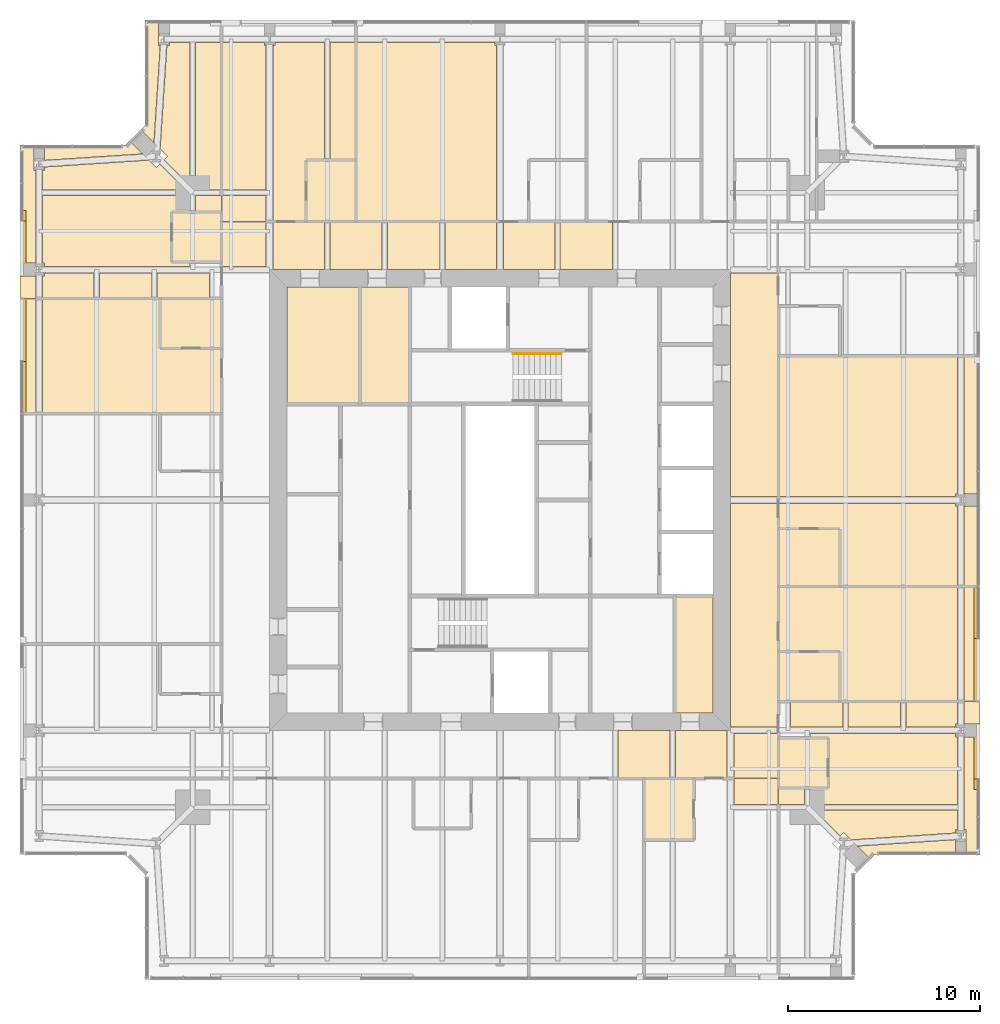
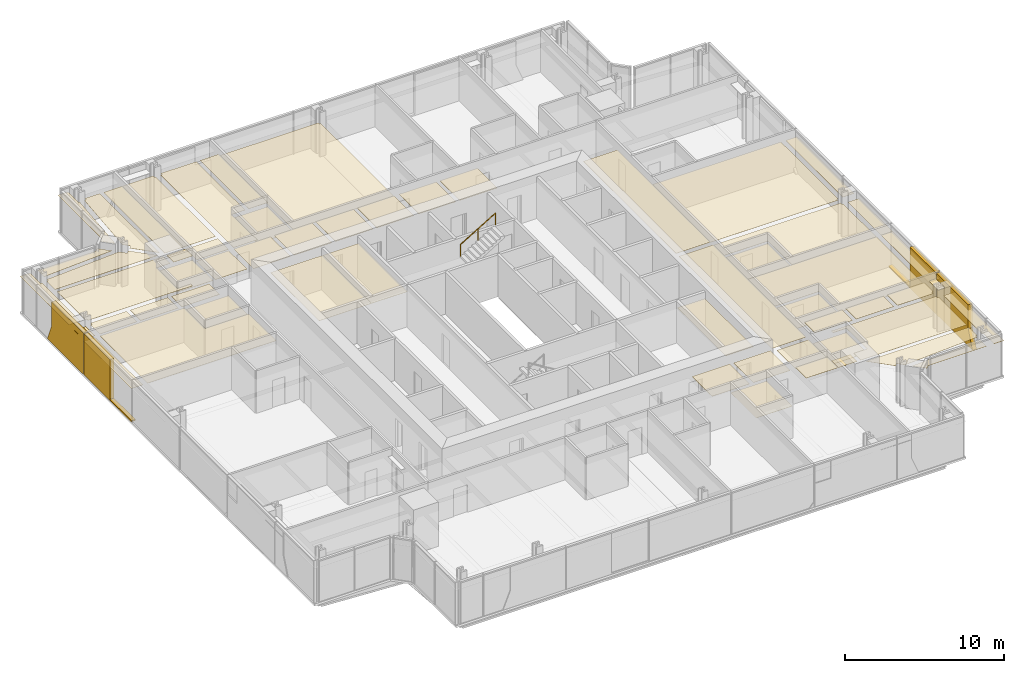
# One storey, part 17 of 18: 61 coverings, 1 railing.
"""IFC4 building model written with IfcOpenShell, lengths in metres."""

from ifc_helpers import new_model, si_unit, direction, frame, origin, origin_2d, place, context, subcontext, project, spatial, polyline, circle, outline, extrude, material, layer, layer_set, type_object, element, save


model = new_model("IFC4")

# Units and contexts
model_context = context("Model", 3, precision=1e-05, world=origin(), true_north=direction((0.0, 1.0)))
body_context = subcontext(model_context, "Body", "Model", "MODEL_VIEW")
ifc_project = project(units=[si_unit("LENGTHUNIT", "METRE"), si_unit("AREAUNIT", "SQUARE_METRE"), si_unit("VOLUMEUNIT", "CUBIC_METRE"), si_unit("PLANEANGLEUNIT", "RADIAN"), si_unit("MASSUNIT", "GRAM", prefix="KILO")], contexts=[model_context])

# Site, building, storey
site_placement = place(None, origin())
site = spatial("IfcSite", under=ifc_project, at=site_placement, CompositionType="ELEMENT")
building_placement = place(site_placement, origin())
building = spatial("IfcBuilding", under=site, at=building_placement, Name="Fenwick Lantern Interchange", CompositionType="ELEMENT")
storey_placement = place(building_placement, frame((0.0, 0.0, 266.199951171875)))
storey = spatial("IfcBuildingStorey", under=building, at=storey_placement, Name="L63", CompositionType="ELEMENT", Elevation=266.199951171875)

# Coverings
ifc_material_1 = material(Name="Granite cladding, warm grey flamed finish, on aluminium carrier frame", Category="masonry")
ifc_layer_1 = layer(ifc_material_1, 0.300048828125)
ifc_layer_set_1 = layer_set([ifc_layer_1], Name="BRACE CASING PANEL 300")
covering_type_1 = type_object("IfcCoveringType", Name="BRACE CASING PANEL 300", PredefinedType="CLADDING", material=ifc_layer_set_1)
covering_1_placement = place(storey_placement, frame((49.89990234375, 6.60009765625, 0.0), z_axis=(0.0, 0.0, 1.0), x_axis=(0.0, 1.0, 0.0)))
element("IfcCovering", 1, at=covering_1_placement, inside=storey, type_object=covering_type_1, Name="Brace casing 05 bay 01a", PredefinedType="CLADDING", context=body_context, shape_type="SweptSolid", body=[
    extrude(outline(polyline([(3.328369140625, 0.0), (7.8701171875, 0.0), (7.8701171875, 3.150146484375), (3.859375, 3.150146484375), (3.859375, 1.31298828125), (3.328369140625, 0.0)])), frame((0.0, 0.2099609375, 0.0), z_axis=(0.0, -1.0, 0.0), x_axis=(1.0, 0.0, 0.0)), (0.0, 0.0, 1.0), 0.300048828125),
])
covering_2_placement = place(storey_placement, frame((49.89990234375, 6.60009765625, 0.0), z_axis=(0.0, 0.0, 1.0), x_axis=(0.0, 1.0, 0.0)))
element("IfcCovering", 2, at=covering_2_placement, inside=storey, type_object=covering_type_1, Name="Brace casing 05 bay 02a", PredefinedType="CLADDING", context=body_context, shape_type="SweptSolid", body=[
    extrude(outline(polyline([(7.929931640625, 0.0), (13.8701171875, 0.0), (13.8701171875, 0.0966796875), (11.180419921875, 0.0966796875), (11.180419921875, 3.150146484375), (7.929931640625, 3.150146484375), (7.929931640625, 0.0)])), frame((0.0, 0.2099609375, 0.0), z_axis=(0.0, -1.0, 0.0), x_axis=(1.0, 0.0, 0.0)), (0.0, 0.0, 1.0), 0.300048828125),
])
covering_3_placement = place(storey_placement, frame((0.10009765625, 43.39990234375, 0.0), z_axis=(0.0, 0.0, 1.0), x_axis=(0.0, -1.0, 0.0)))
element("IfcCovering", 3, at=covering_3_placement, inside=storey, type_object=covering_type_1, Name="Brace casing 13 bay 01a", PredefinedType="CLADDING", context=body_context, shape_type="SweptSolid", body=[
    extrude(outline(polyline([(3.328369140625, 0.0), (7.8701171875, 0.0), (7.8701171875, 3.150146484375), (3.859375, 3.150146484375), (3.859375, 1.31298828125), (3.328369140625, 0.0)])), frame((0.0, 0.2099609375, 0.0), z_axis=(0.0, -1.0, 0.0), x_axis=(1.0, 0.0, 0.0)), (0.0, 0.0, 1.0), 0.300048828125),
])
covering_4_placement = place(storey_placement, frame((0.10009765625, 43.39990234375, 0.0), z_axis=(0.0, 0.0, 1.0), x_axis=(0.0, -1.0, 0.0)))
element("IfcCovering", 4, at=covering_4_placement, inside=storey, type_object=covering_type_1, Name="Brace casing 13 bay 02a", PredefinedType="CLADDING", context=body_context, shape_type="SweptSolid", body=[
    extrude(outline(polyline([(7.929931640625, 0.0), (13.8701171875, 0.0), (13.8701171875, 0.0966796875), (11.180419921875, 0.0966796875), (11.180419921875, 3.150146484375), (7.929931640625, 3.150146484375), (7.929931640625, 0.0)])), frame((0.0, 0.2099609375, 0.0), z_axis=(0.0, -1.0, 0.0), x_axis=(1.0, 0.0, 0.0)), (0.0, 0.0, 1.0), 0.300048828125),
])

# Railing
ifc_material_2 = material(Name="Stainless steel handrail", Category="steel")
railing_type = type_object("IfcRailingType", Name="HANDRAIL 900", PredefinedType="HANDRAIL", material=ifc_material_2)
railing_placement = place(storey_placement, frame((25.679931640625, 32.6259765625, 1.8701171875)))
element("IfcRailing", 5, at=railing_placement, inside=storey, type_object=railing_type, Name="L63/STAIR/ST2/HR2", PredefinedType="HANDRAIL", context=body_context, shape_type="SweptSolid", body=[
    extrude(circle(Radius=0.02392578125, at=origin_2d()), frame((0.0, 0.0, 0.8759765625), z_axis=(0.85478489116, 0.0, 0.518982456201), x_axis=(0.0, 1.0, 0.0)), (0.0, 0.0, 1.0), 2.9482421875),
    extrude(circle(Radius=0.02099609375, at=origin_2d()), origin(), (0.0, 0.0, 1.0), 0.851806640625),
    extrude(circle(Radius=0.02099609375, at=origin_2d()), frame((1.260009765625, 0.0, 0.76513671875)), (0.0, 0.0, 1.0), 0.851806640625),
    extrude(circle(Radius=0.02099609375, at=origin_2d()), frame((2.52001953125, 0.0, 1.530029296875)), (0.0, 0.0, 1.0), 0.851806640625),
])

# Coverings
ifc_material_3 = material(Name="Moisture resistant gypsum board on suspended frame, painted")
ifc_layer_2 = layer(ifc_material_3, 0.014892578125)
ifc_layer_set_2 = layer_set([ifc_layer_2], Name="MOISTURE RESISTANT CEILING 15")
covering_type_2 = type_object("IfcCoveringType", Name="MOISTURE RESISTANT CEILING 15", PredefinedType="CEILING", material=ifc_layer_set_2)
covering_5_placement = place(storey_placement, frame((0.0, 0.0, 2.60009765625)))
element("IfcCovering", 6, at=covering_5_placement, inside=storey, type_object=covering_type_2, Name="Men's WC ceiling", PredefinedType="CEILING", context=body_context, shape_type="SweptSolid", body=[
    extrude(outline(polyline([(34.10009765625, 13.89990234375), (36.10009765625, 13.89990234375), (36.10009765625, 20.0), (34.10009765625, 20.0), (34.10009765625, 13.89990234375)])), origin(), (0.0, 0.0, 1.0), 0.014892578125),
])
covering_6_placement = place(storey_placement, frame((0.0, 0.0, 2.60009765625)))
element("IfcCovering", 7, at=covering_6_placement, inside=storey, type_object=covering_type_2, Name="Men's WC ceiling", PredefinedType="CEILING", context=body_context, shape_type="SweptSolid", body=[
    extrude(outline(polyline([(20.300048828125, 36.10009765625), (17.699951171875, 36.10009765625), (17.699951171875, 30.0), (20.300048828125, 30.0), (20.300048828125, 36.10009765625)])), origin(), (0.0, 0.0, 1.0), 0.014892578125),
])
covering_7_placement = place(storey_placement, frame((0.0, 0.0, 2.60009765625)))
element("IfcCovering", 8, at=covering_7_placement, inside=storey, type_object=covering_type_2, Name="Women's WC ceiling", PredefinedType="CEILING", context=body_context, shape_type="SweptSolid", body=[
    extrude(outline(polyline([(17.699951171875, 36.10009765625), (13.89990234375, 36.10009765625), (13.89990234375, 30.0), (17.699951171875, 30.0), (17.699951171875, 36.10009765625)])), origin(), (0.0, 0.0, 1.0), 0.014892578125),
])
covering_8_placement = place(storey_placement, frame((0.0, 0.0, 2.400146484375)))
element("IfcCovering", 9, at=covering_8_placement, inside=storey, type_object=covering_type_2, Name="En-suite 6302 ceiling", PredefinedType="CEILING", context=body_context, shape_type="SweptSolid", body=[
    extrude(outline(polyline([(32.5, 7.300048828125), (35.10009765625, 7.300048828125), (35.10009765625, 10.5), (32.5, 10.5), (32.5, 7.300048828125)])), origin(), (0.0, 0.0, 1.0), 0.014892578125),
])
covering_9_placement = place(storey_placement, frame((0.0, 0.0, 2.400146484375)))
element("IfcCovering", 10, at=covering_9_placement, inside=storey, type_object=covering_type_2, Name="En-suite 6303 ceiling", PredefinedType="CEILING", context=body_context, shape_type="SweptSolid", body=[
    extrude(outline(polyline([(42.10009765625, 10.0), (42.10009765625, 12.60009765625), (39.5, 12.60009765625), (39.5, 10.0), (42.10009765625, 10.0)])), origin(), (0.0, 0.0, 1.0), 0.014892578125),
])
covering_10_placement = place(storey_placement, frame((0.0, 0.0, 2.400146484375)))
element("IfcCovering", 11, at=covering_10_placement, inside=storey, type_object=covering_type_2, Name="En-suite 6304 ceiling", PredefinedType="CEILING", context=body_context, shape_type="SweptSolid", body=[
    extrude(outline(polyline([(42.699951171875, 14.5), (42.699951171875, 17.10009765625), (39.5, 17.10009765625), (39.5, 14.5), (42.699951171875, 14.5)])), origin(), (0.0, 0.0, 1.0), 0.014892578125),
])
covering_11_placement = place(storey_placement, frame((0.0, 0.0, 2.400146484375)))
element("IfcCovering", 12, at=covering_11_placement, inside=storey, type_object=covering_type_2, Name="En-suite 6305 ceiling", PredefinedType="CEILING", context=body_context, shape_type="SweptSolid", body=[
    extrude(outline(polyline([(42.699951171875, 20.5), (42.699951171875, 23.5), (39.5, 23.5), (39.5, 20.5), (42.699951171875, 20.5)])), origin(), (0.0, 0.0, 1.0), 0.014892578125),
])
covering_12_placement = place(storey_placement, frame((0.0, 0.0, 2.400146484375)))
element("IfcCovering", 13, at=covering_12_placement, inside=storey, type_object=covering_type_2, Name="En-suite 6310 ceiling", PredefinedType="CEILING", context=body_context, shape_type="SweptSolid", body=[
    extrude(outline(polyline([(17.5, 42.699951171875), (14.89990234375, 42.699951171875), (14.89990234375, 39.5), (17.5, 39.5), (17.5, 42.699951171875)])), origin(), (0.0, 0.0, 1.0), 0.014892578125),
])
covering_13_placement = place(storey_placement, frame((0.0, 0.0, 2.400146484375)))
element("IfcCovering", 14, at=covering_13_placement, inside=storey, type_object=covering_type_2, Name="En-suite 6311 ceiling", PredefinedType="CEILING", context=body_context, shape_type="SweptSolid", body=[
    extrude(outline(polyline([(7.89990234375, 40.0), (7.89990234375, 37.39990234375), (10.5, 37.39990234375), (10.5, 40.0), (7.89990234375, 40.0)])), origin(), (0.0, 0.0, 1.0), 0.014892578125),
])
covering_14_placement = place(storey_placement, frame((0.0, 0.0, 2.400146484375)))
element("IfcCovering", 15, at=covering_14_placement, inside=storey, type_object=covering_type_2, Name="En-suite 6312 ceiling", PredefinedType="CEILING", context=body_context, shape_type="SweptSolid", body=[
    extrude(outline(polyline([(7.300048828125, 35.5), (7.300048828125, 32.89990234375), (10.5, 32.89990234375), (10.5, 35.5), (7.300048828125, 35.5)])), origin(), (0.0, 0.0, 1.0), 0.014892578125),
])
ifc_material_4 = material(Name="Gypsum plasterboard on suspended frame, painted")
ifc_layer_3 = layer(ifc_material_4, 0.014892578125)
ifc_layer_set_3 = layer_set([ifc_layer_3], Name="PLASTERBOARD CEILING 15")
covering_type_3 = type_object("IfcCoveringType", Name="PLASTERBOARD CEILING 15", PredefinedType="CEILING", material=ifc_layer_set_3)
covering_15_placement = place(storey_placement, frame((0.0, 0.0, 2.60009765625)))
element("IfcCovering", 16, at=covering_15_placement, inside=storey, type_object=covering_type_3, Name="Corridor ceiling", PredefinedType="CEILING", context=body_context, shape_type="SweptSolid", body=[
    extrude(outline(polyline([(39.5, 25.175048828125), (39.5, 36.833984375), (37.0, 36.833984375), (37.0, 25.175048828125), (39.5, 25.175048828125)])), origin(), (0.0, 0.0, 1.0), 0.014892578125),
])
covering_16_placement = place(storey_placement, frame((0.0, 0.0, 2.60009765625)))
element("IfcCovering", 17, at=covering_16_placement, inside=storey, type_object=covering_type_3, Name="Corridor ceiling", PredefinedType="CEILING", context=body_context, shape_type="SweptSolid", body=[
    extrude(outline(polyline([(39.5, 13.166015625), (39.5, 24.824951171875), (37.0, 24.824951171875), (37.0, 13.166015625), (39.5, 13.166015625)])), origin(), (0.0, 0.0, 1.0), 0.014892578125),
])
covering_17_placement = place(storey_placement, frame((0.0, 0.0, 2.60009765625)))
element("IfcCovering", 18, at=covering_17_placement, inside=storey, type_object=covering_type_3, Name="Corridor ceiling", PredefinedType="CEILING", context=body_context, shape_type="SweptSolid", body=[
    extrude(outline(polyline([(18.865478515625, 39.5), (16.134521484375, 39.5), (16.134521484375, 37.0), (18.865478515625, 37.0), (18.865478515625, 39.5)])), origin(), (0.0, 0.0, 1.0), 0.014892578125),
])
covering_18_placement = place(storey_placement, frame((0.0, 0.0, 2.60009765625)))
element("IfcCovering", 19, at=covering_18_placement, inside=storey, type_object=covering_type_3, Name="Corridor ceiling", PredefinedType="CEILING", context=body_context, shape_type="SweptSolid", body=[
    extrude(outline(polyline([(21.865478515625, 39.5), (19.134521484375, 39.5), (19.134521484375, 37.0), (21.865478515625, 37.0), (21.865478515625, 39.5)])), origin(), (0.0, 0.0, 1.0), 0.014892578125),
])
covering_19_placement = place(storey_placement, frame((0.0, 0.0, 2.60009765625)))
element("IfcCovering", 20, at=covering_19_placement, inside=storey, type_object=covering_type_3, Name="Corridor ceiling", PredefinedType="CEILING", context=body_context, shape_type="SweptSolid", body=[
    extrude(outline(polyline([(30.865478515625, 39.5), (28.134521484375, 39.5), (28.134521484375, 37.0), (30.865478515625, 37.0), (30.865478515625, 39.5)])), origin(), (0.0, 0.0, 1.0), 0.014892578125),
])
covering_20_placement = place(storey_placement, frame((0.0, 0.0, 2.60009765625)))
element("IfcCovering", 21, at=covering_20_placement, inside=storey, type_object=covering_type_3, Name="Corridor ceiling", PredefinedType="CEILING", context=body_context, shape_type="SweptSolid", body=[
    extrude(outline(polyline([(31.134521484375, 10.5), (33.865478515625, 10.5), (33.865478515625, 13.0), (31.134521484375, 13.0), (31.134521484375, 10.5)])), origin(), (0.0, 0.0, 1.0), 0.014892578125),
])
covering_21_placement = place(storey_placement, frame((0.0, 0.0, 2.60009765625)))
element("IfcCovering", 22, at=covering_21_placement, inside=storey, type_object=covering_type_3, Name="Corridor ceiling", PredefinedType="CEILING", context=body_context, shape_type="SweptSolid", body=[
    extrude(outline(polyline([(15.865478515625, 39.5), (13.183837890625, 39.5), (13.183837890625, 37.0), (15.865478515625, 37.0), (15.865478515625, 39.5)])), origin(), (0.0, 0.0, 1.0), 0.014892578125),
])
covering_22_placement = place(storey_placement, frame((0.0, 0.0, 2.60009765625)))
element("IfcCovering", 23, at=covering_22_placement, inside=storey, type_object=covering_type_3, Name="Corridor ceiling", PredefinedType="CEILING", context=body_context, shape_type="SweptSolid", body=[
    extrude(outline(polyline([(24.816162109375, 39.5), (22.134521484375, 39.5), (22.134521484375, 37.0), (24.816162109375, 37.0), (24.816162109375, 39.5)])), origin(), (0.0, 0.0, 1.0), 0.014892578125),
])
covering_23_placement = place(storey_placement, frame((0.0, 0.0, 2.60009765625)))
element("IfcCovering", 24, at=covering_23_placement, inside=storey, type_object=covering_type_3, Name="Corridor ceiling", PredefinedType="CEILING", context=body_context, shape_type="SweptSolid", body=[
    extrude(outline(polyline([(27.865478515625, 39.5), (25.183837890625, 39.5), (25.183837890625, 37.0), (27.865478515625, 37.0), (27.865478515625, 39.5)])), origin(), (0.0, 0.0, 1.0), 0.014892578125),
])
covering_24_placement = place(storey_placement, frame((0.0, 0.0, 2.60009765625)))
element("IfcCovering", 25, at=covering_24_placement, inside=storey, type_object=covering_type_3, Name="Corridor ceiling", PredefinedType="CEILING", context=body_context, shape_type="SweptSolid", body=[
    extrude(outline(polyline([(34.134521484375, 10.5), (36.816162109375, 10.5), (36.816162109375, 13.0), (34.134521484375, 13.0), (34.134521484375, 10.5)])), origin(), (0.0, 0.0, 1.0), 0.014892578125),
])
covering_25_placement = place(storey_placement, frame((0.0, 0.0, 2.60009765625)))
element("IfcCovering", 26, at=covering_25_placement, inside=storey, type_object=covering_type_3, Name="Corridor ceiling", PredefinedType="CEILING", context=body_context, shape_type="SweptSolid", body=[
    extrude(outline(polyline([(12.816162109375, 39.5), (10.5, 39.5), (10.5, 37.166015625), (12.816162109375, 37.166015625), (12.816162109375, 39.5)])), origin(), (0.0, 0.0, 1.0), 0.014892578125),
])
covering_26_placement = place(storey_placement, frame((0.0, 0.0, 2.60009765625)))
element("IfcCovering", 27, at=covering_26_placement, inside=storey, type_object=covering_type_3, Name="Corridor ceiling", PredefinedType="CEILING", context=body_context, shape_type="SweptSolid", body=[
    extrude(outline(polyline([(39.5, 10.5), (39.5, 12.833984375), (37.183837890625, 12.833984375), (37.183837890625, 10.5), (39.5, 10.5)])), origin(), (0.0, 0.0, 1.0), 0.014892578125),
])
covering_27_placement = place(storey_placement, frame((0.0, 0.0, 2.699951171875)))
element("IfcCovering", 28, at=covering_27_placement, inside=storey, type_object=covering_type_3, Name="Guest room 6302 ceiling", PredefinedType="CEILING", context=body_context, shape_type="SweptSolid", body=[
    extrude(outline(polyline([(39.5, 10.5), (37.183837890625, 10.5), (37.183837890625, 9.134521484375), (39.5, 9.134521484375), (39.5, 10.5)])), origin(), (0.0, 0.0, 1.0), 0.01513671875),
])
covering_28_placement = place(storey_placement, frame((0.0, 0.0, 2.699951171875)))
element("IfcCovering", 29, at=covering_28_placement, inside=storey, type_object=covering_type_3, Name="Guest suite 6303 ceiling", PredefinedType="CEILING", context=body_context, shape_type="SweptSolid", body=[
    extrude(outline(polyline([(42.10009765625, 10.0), (41.134521484375, 10.0), (41.134521484375, 9.134521484375), (48.82763671875, 9.134521484375), (48.82763671875, 12.66552734375), (48.72265625, 12.66552734375), (48.72265625, 12.833984375), (41.134521484375, 12.833984375), (41.134521484375, 12.60009765625), (42.10009765625, 12.60009765625), (42.10009765625, 10.0)])), origin(), (0.0, 0.0, 1.0), 0.01513671875),
])
covering_29_placement = place(storey_placement, frame((0.0, 0.0, 2.699951171875)))
element("IfcCovering", 30, at=covering_29_placement, inside=storey, type_object=covering_type_3, Name="Guest suite 6303 ceiling", PredefinedType="CEILING", context=body_context, shape_type="SweptSolid", body=[
    extrude(outline(polyline([(48.72265625, 7.83447265625), (48.82763671875, 7.83447265625), (48.82763671875, 8.865478515625), (41.351318359375, 8.865478515625), (42.71728515625, 7.499755859375), (42.89990234375, 7.6826171875), (43.284423828125, 7.298095703125), (48.72265625, 7.654541015625), (48.72265625, 7.83447265625)])), origin(), (0.0, 0.0, 1.0), 0.01513671875),
])
covering_30_placement = place(storey_placement, frame((0.0, 0.0, 2.699951171875)))
element("IfcCovering", 31, at=covering_30_placement, inside=storey, type_object=covering_type_3, Name="Guest suite 6303 ceiling", PredefinedType="CEILING", context=body_context, shape_type="SweptSolid", body=[
    extrude(outline(polyline([(50.0, 12.66552734375), (49.17236328125, 12.66552734375), (49.17236328125, 7.83447265625), (49.27734375, 7.83447265625), (49.27734375, 6.5), (50.0, 6.5), (50.0, 12.66552734375)])), origin(), (0.0, 0.0, 1.0), 0.01513671875),
])
covering_31_placement = place(storey_placement, frame((0.0, 0.0, 2.699951171875)))
element("IfcCovering", 32, at=covering_31_placement, inside=storey, type_object=covering_type_3, Name="Guest suite 6303 ceiling", PredefinedType="CEILING", context=body_context, shape_type="SweptSolid", body=[
    extrude(outline(polyline([(42.865478515625, 14.5), (40.134521484375, 14.5), (40.134521484375, 13.166015625), (42.865478515625, 13.166015625), (42.865478515625, 14.5)])), origin(), (0.0, 0.0, 1.0), 0.01513671875),
])
covering_32_placement = place(storey_placement, frame((0.0, 0.0, 2.699951171875)))
element("IfcCovering", 33, at=covering_32_placement, inside=storey, type_object=covering_type_3, Name="Guest suite 6303 ceiling", PredefinedType="CEILING", context=body_context, shape_type="SweptSolid", body=[
    extrude(outline(polyline([(45.865478515625, 14.5), (43.134521484375, 14.5), (43.134521484375, 13.166015625), (45.865478515625, 13.166015625), (45.865478515625, 14.5)])), origin(), (0.0, 0.0, 1.0), 0.01513671875),
])
covering_33_placement = place(storey_placement, frame((0.0, 0.0, 2.699951171875)))
element("IfcCovering", 34, at=covering_33_placement, inside=storey, type_object=covering_type_3, Name="Guest suite 6303 ceiling", PredefinedType="CEILING", context=body_context, shape_type="SweptSolid", body=[
    extrude(outline(polyline([(48.82763671875, 14.5), (46.134521484375, 14.5), (46.134521484375, 13.166015625), (48.72265625, 13.166015625), (48.72265625, 13.33447265625), (48.82763671875, 13.33447265625), (48.82763671875, 14.5)])), origin(), (0.0, 0.0, 1.0), 0.01513671875),
])
covering_34_placement = place(storey_placement, frame((0.0, 0.0, 2.699951171875)))
element("IfcCovering", 35, at=covering_34_placement, inside=storey, type_object=covering_type_3, Name="Guest suite 6303 ceiling", PredefinedType="CEILING", context=body_context, shape_type="SweptSolid", body=[
    extrude(outline(polyline([(48.72265625, 6.5), (48.72265625, 7.30908203125), (43.60888671875, 6.9736328125), (44.291259765625, 6.291259765625), (44.5, 6.5), (48.72265625, 6.5)])), origin(), (0.0, 0.0, 1.0), 0.01513671875),
])
covering_35_placement = place(storey_placement, frame((0.0, 0.0, 2.699951171875)))
element("IfcCovering", 36, at=covering_35_placement, inside=storey, type_object=covering_type_3, Name="Guest suite 6303 ceiling", PredefinedType="CEILING", context=body_context, shape_type="SweptSolid", body=[
    extrude(outline(polyline([(39.5, 10.0), (39.5, 9.134521484375), (40.865478515625, 9.134521484375), (40.865478515625, 10.0), (39.5, 10.0)])), origin(), (0.0, 0.0, 1.0), 0.01513671875),
])
covering_36_placement = place(storey_placement, frame((0.0, 0.0, 2.699951171875)))
element("IfcCovering", 37, at=covering_36_placement, inside=storey, type_object=covering_type_3, Name="Guest suite 6303 ceiling", PredefinedType="CEILING", context=body_context, shape_type="SweptSolid", body=[
    extrude(outline(polyline([(50.0, 14.5), (49.17236328125, 14.5), (49.17236328125, 13.33447265625), (50.0, 13.33447265625), (50.0, 14.5)])), origin(), (0.0, 0.0, 1.0), 0.01513671875),
])
covering_37_placement = place(storey_placement, frame((0.0, 0.0, 2.572998046875)))
element("IfcCovering", 38, at=covering_37_placement, inside=storey, type_object=covering_type_3, Name="Guest room 6304 ceiling", PredefinedType="CEILING", context=body_context, shape_type="SweptSolid", body=[
    extrude(outline(polyline([(48.82763671875, 20.5), (39.5, 20.5), (39.5, 17.10009765625), (42.699951171875, 17.10009765625), (42.699951171875, 14.5), (48.82763671875, 14.5), (48.82763671875, 20.5)])), origin(), (0.0, 0.0, 1.0), 0.014892578125),
])
covering_38_placement = place(storey_placement, frame((0.0, 0.0, 2.572998046875)))
element("IfcCovering", 39, at=covering_38_placement, inside=storey, type_object=covering_type_3, Name="Guest room 6304 ceiling", PredefinedType="CEILING", context=body_context, shape_type="SweptSolid", body=[
    extrude(outline(polyline([(50.0, 20.5), (49.17236328125, 20.5), (49.17236328125, 14.5), (50.0, 14.5), (50.0, 20.5)])), origin(), (0.0, 0.0, 1.0), 0.014892578125),
])
covering_39_placement = place(storey_placement, frame((0.0, 0.0, 2.572998046875)))
element("IfcCovering", 40, at=covering_39_placement, inside=storey, type_object=covering_type_3, Name="Guest suite 6305 ceiling", PredefinedType="CEILING", context=body_context, shape_type="SweptSolid", body=[
    extrude(outline(polyline([(48.72900390625, 25.3154296875), (48.82763671875, 25.3154296875), (48.82763671875, 32.5), (39.5, 32.5), (39.5, 25.175048828125), (48.72900390625, 25.175048828125), (48.72900390625, 25.3154296875)])), origin(), (0.0, 0.0, 1.0), 0.014892578125),
])
covering_40_placement = place(storey_placement, frame((0.0, 0.0, 2.572998046875)))
element("IfcCovering", 41, at=covering_40_placement, inside=storey, type_object=covering_type_3, Name="Guest suite 6305 ceiling", PredefinedType="CEILING", context=body_context, shape_type="SweptSolid", body=[
    extrude(outline(polyline([(48.72900390625, 24.6845703125), (48.72900390625, 24.824951171875), (39.5, 24.824951171875), (39.5, 23.5), (42.699951171875, 23.5), (42.699951171875, 20.5), (48.82763671875, 20.5), (48.82763671875, 24.6845703125), (48.72900390625, 24.6845703125)])), origin(), (0.0, 0.0, 1.0), 0.014892578125),
])
covering_41_placement = place(storey_placement, frame((0.0, 0.0, 2.572998046875)))
element("IfcCovering", 42, at=covering_41_placement, inside=storey, type_object=covering_type_3, Name="Guest suite 6305 ceiling", PredefinedType="CEILING", context=body_context, shape_type="SweptSolid", body=[
    extrude(outline(polyline([(50.0, 25.3154296875), (50.0, 32.5), (49.17236328125, 32.5), (49.17236328125, 25.3154296875), (50.0, 25.3154296875)])), origin(), (0.0, 0.0, 1.0), 0.014892578125),
])
covering_42_placement = place(storey_placement, frame((0.0, 0.0, 2.572998046875)))
element("IfcCovering", 43, at=covering_42_placement, inside=storey, type_object=covering_type_3, Name="Guest suite 6305 ceiling", PredefinedType="CEILING", context=body_context, shape_type="SweptSolid", body=[
    extrude(outline(polyline([(50.0, 24.6845703125), (49.17236328125, 24.6845703125), (49.17236328125, 20.5), (50.0, 20.5), (50.0, 24.6845703125)])), origin(), (0.0, 0.0, 1.0), 0.014892578125),
])
covering_43_placement = place(storey_placement, frame((0.0, 0.0, 2.572998046875)))
element("IfcCovering", 44, at=covering_43_placement, inside=storey, type_object=covering_type_3, Name="Guest suite 6309 ceiling", PredefinedType="CEILING", context=body_context, shape_type="SweptSolid", body=[
    extrude(outline(polyline([(24.72900390625, 48.6845703125), (24.72900390625, 48.82763671875), (17.5, 48.82763671875), (17.5, 39.5), (24.816162109375, 39.5), (24.816162109375, 48.6845703125), (24.72900390625, 48.6845703125)])), origin(), (0.0, 0.0, 1.0), 0.014892578125),
])
covering_44_placement = place(storey_placement, frame((0.0, 0.0, 2.699951171875)))
element("IfcCovering", 45, at=covering_44_placement, inside=storey, type_object=covering_type_3, Name="Guest room 6310 ceiling", PredefinedType="CEILING", context=body_context, shape_type="SweptSolid", body=[
    extrude(outline(polyline([(13.27734375, 48.66552734375), (13.183837890625, 48.66552734375), (13.183837890625, 39.5), (14.89990234375, 39.5), (14.89990234375, 42.699951171875), (15.865478515625, 42.699951171875), (15.865478515625, 48.82763671875), (13.27734375, 48.82763671875), (13.27734375, 48.66552734375)])), origin(), (0.0, 0.0, 1.0), 0.01513671875),
])
covering_45_placement = place(storey_placement, frame((0.0, 0.0, 2.699951171875)))
element("IfcCovering", 46, at=covering_45_placement, inside=storey, type_object=covering_type_3, Name="Guest room 6310 ceiling", PredefinedType="CEILING", context=body_context, shape_type="SweptSolid", body=[
    extrude(outline(polyline([(12.72265625, 48.66552734375), (12.72265625, 48.82763671875), (10.5, 48.82763671875), (10.5, 41.134521484375), (12.816162109375, 41.134521484375), (12.816162109375, 48.66552734375), (12.72265625, 48.66552734375)])), origin(), (0.0, 0.0, 1.0), 0.01513671875),
])
covering_46_placement = place(storey_placement, frame((0.0, 0.0, 2.699951171875)))
element("IfcCovering", 47, at=covering_46_placement, inside=storey, type_object=covering_type_3, Name="Guest room 6310 ceiling", PredefinedType="CEILING", context=body_context, shape_type="SweptSolid", body=[
    extrude(outline(polyline([(17.5, 42.699951171875), (17.5, 48.82763671875), (16.134521484375, 48.82763671875), (16.134521484375, 42.699951171875), (17.5, 42.699951171875)])), origin(), (0.0, 0.0, 1.0), 0.01513671875),
])
covering_47_placement = place(storey_placement, frame((0.0, 0.0, 2.699951171875)))
element("IfcCovering", 48, at=covering_47_placement, inside=storey, type_object=covering_type_3, Name="Guest room 6310 ceiling", PredefinedType="CEILING", context=body_context, shape_type="SweptSolid", body=[
    extrude(outline(polyline([(10.5, 39.5), (12.816162109375, 39.5), (12.816162109375, 40.865478515625), (10.5, 40.865478515625), (10.5, 39.5)])), origin(), (0.0, 0.0, 1.0), 0.01513671875),
])
covering_48_placement = place(storey_placement, frame((0.0, 0.0, 2.699951171875)))
element("IfcCovering", 49, at=covering_48_placement, inside=storey, type_object=covering_type_3, Name="Guest suite 6311 ceiling", PredefinedType="CEILING", context=body_context, shape_type="SweptSolid", body=[
    extrude(outline(polyline([(7.89990234375, 40.0), (8.865478515625, 40.0), (8.865478515625, 40.865478515625), (1.17236328125, 40.865478515625), (1.17236328125, 37.33447265625), (1.27734375, 37.33447265625), (1.27734375, 37.166015625), (8.865478515625, 37.166015625), (8.865478515625, 37.39990234375), (7.89990234375, 37.39990234375), (7.89990234375, 40.0)])), origin(), (0.0, 0.0, 1.0), 0.01513671875),
])
covering_49_placement = place(storey_placement, frame((0.0, 0.0, 2.699951171875)))
element("IfcCovering", 50, at=covering_49_placement, inside=storey, type_object=covering_type_3, Name="Guest suite 6311 ceiling", PredefinedType="CEILING", context=body_context, shape_type="SweptSolid", body=[
    extrude(outline(polyline([(10.5, 41.134521484375), (10.5, 48.82763671875), (9.134521484375, 48.82763671875), (9.134521484375, 41.134521484375), (10.5, 41.134521484375)])), origin(), (0.0, 0.0, 1.0), 0.01513671875),
])
covering_50_placement = place(storey_placement, frame((0.0, 0.0, 2.699951171875)))
element("IfcCovering", 51, at=covering_50_placement, inside=storey, type_object=covering_type_3, Name="Guest suite 6311 ceiling", PredefinedType="CEILING", context=body_context, shape_type="SweptSolid", body=[
    extrude(outline(polyline([(1.27734375, 42.16552734375), (1.17236328125, 42.16552734375), (1.17236328125, 41.134521484375), (8.648681640625, 41.134521484375), (7.28271484375, 42.500244140625), (7.10009765625, 42.3173828125), (6.715576171875, 42.701904296875), (1.27734375, 42.345458984375), (1.27734375, 42.16552734375)])), origin(), (0.0, 0.0, 1.0), 0.01513671875),
])
covering_51_placement = place(storey_placement, frame((0.0, 0.0, 2.699951171875)))
element("IfcCovering", 52, at=covering_51_placement, inside=storey, type_object=covering_type_3, Name="Guest suite 6311 ceiling", PredefinedType="CEILING", context=body_context, shape_type="SweptSolid", body=[
    extrude(outline(polyline([(7.77734375, 48.66552734375), (7.65087890625, 48.66552734375), (7.298095703125, 43.284423828125), (7.6826171875, 42.89990234375), (7.499755859375, 42.71728515625), (8.865478515625, 41.351318359375), (8.865478515625, 48.82763671875), (7.77734375, 48.82763671875), (7.77734375, 48.66552734375)])), origin(), (0.0, 0.0, 1.0), 0.01513671875),
])
covering_52_placement = place(storey_placement, frame((0.0, 0.0, 2.699951171875)))
element("IfcCovering", 53, at=covering_52_placement, inside=storey, type_object=covering_type_3, Name="Guest suite 6311 ceiling", PredefinedType="CEILING", context=body_context, shape_type="SweptSolid", body=[
    extrude(outline(polyline([(0.0, 37.33447265625), (0.82763671875, 37.33447265625), (0.82763671875, 42.16552734375), (0.72265625, 42.16552734375), (0.72265625, 43.5), (0.0, 43.5), (0.0, 37.33447265625)])), origin(), (0.0, 0.0, 1.0), 0.01513671875),
])
covering_53_placement = place(storey_placement, frame((0.0, 0.0, 2.699951171875)))
element("IfcCovering", 54, at=covering_53_placement, inside=storey, type_object=covering_type_3, Name="Guest suite 6311 ceiling", PredefinedType="CEILING", context=body_context, shape_type="SweptSolid", body=[
    extrude(outline(polyline([(7.30517578125, 48.66552734375), (7.22265625, 48.66552734375), (7.22265625, 50.0), (6.5, 50.0), (6.5, 44.5), (6.291259765625, 44.291259765625), (6.9736328125, 43.60888671875), (7.30517578125, 48.66552734375)])), origin(), (0.0, 0.0, 1.0), 0.01513671875),
])
covering_54_placement = place(storey_placement, frame((0.0, 0.0, 2.699951171875)))
element("IfcCovering", 55, at=covering_54_placement, inside=storey, type_object=covering_type_3, Name="Guest suite 6311 ceiling", PredefinedType="CEILING", context=body_context, shape_type="SweptSolid", body=[
    extrude(outline(polyline([(4.134521484375, 35.5), (6.865478515625, 35.5), (6.865478515625, 36.833984375), (4.134521484375, 36.833984375), (4.134521484375, 35.5)])), origin(), (0.0, 0.0, 1.0), 0.01513671875),
])
covering_55_placement = place(storey_placement, frame((0.0, 0.0, 2.699951171875)))
element("IfcCovering", 56, at=covering_55_placement, inside=storey, type_object=covering_type_3, Name="Guest suite 6311 ceiling", PredefinedType="CEILING", context=body_context, shape_type="SweptSolid", body=[
    extrude(outline(polyline([(7.134521484375, 35.5), (9.865478515625, 35.5), (9.865478515625, 36.833984375), (7.134521484375, 36.833984375), (7.134521484375, 35.5)])), origin(), (0.0, 0.0, 1.0), 0.01513671875),
])
covering_56_placement = place(storey_placement, frame((0.0, 0.0, 2.699951171875)))
element("IfcCovering", 57, at=covering_56_placement, inside=storey, type_object=covering_type_3, Name="Guest suite 6311 ceiling", PredefinedType="CEILING", context=body_context, shape_type="SweptSolid", body=[
    extrude(outline(polyline([(1.17236328125, 35.5), (3.865478515625, 35.5), (3.865478515625, 36.833984375), (1.27734375, 36.833984375), (1.27734375, 36.66552734375), (1.17236328125, 36.66552734375), (1.17236328125, 35.5)])), origin(), (0.0, 0.0, 1.0), 0.01513671875),
])
covering_57_placement = place(storey_placement, frame((0.0, 0.0, 2.699951171875)))
element("IfcCovering", 58, at=covering_57_placement, inside=storey, type_object=covering_type_3, Name="Guest suite 6311 ceiling", PredefinedType="CEILING", context=body_context, shape_type="SweptSolid", body=[
    extrude(outline(polyline([(1.27734375, 43.5), (1.27734375, 42.69091796875), (6.39111328125, 43.0263671875), (5.708740234375, 43.708740234375), (5.5, 43.5), (1.27734375, 43.5)])), origin(), (0.0, 0.0, 1.0), 0.01513671875),
])
covering_58_placement = place(storey_placement, frame((0.0, 0.0, 2.699951171875)))
element("IfcCovering", 59, at=covering_58_placement, inside=storey, type_object=covering_type_3, Name="Guest suite 6311 ceiling", PredefinedType="CEILING", context=body_context, shape_type="SweptSolid", body=[
    extrude(outline(polyline([(10.5, 40.0), (10.5, 40.865478515625), (9.134521484375, 40.865478515625), (9.134521484375, 40.0), (10.5, 40.0)])), origin(), (0.0, 0.0, 1.0), 0.01513671875),
])
covering_59_placement = place(storey_placement, frame((0.0, 0.0, 2.699951171875)))
element("IfcCovering", 60, at=covering_59_placement, inside=storey, type_object=covering_type_3, Name="Guest suite 6311 ceiling", PredefinedType="CEILING", context=body_context, shape_type="SweptSolid", body=[
    extrude(outline(polyline([(0.0, 35.5), (0.82763671875, 35.5), (0.82763671875, 36.66552734375), (0.0, 36.66552734375), (0.0, 35.5)])), origin(), (0.0, 0.0, 1.0), 0.01513671875),
])
covering_60_placement = place(storey_placement, frame((0.0, 0.0, 2.572998046875)))
element("IfcCovering", 61, at=covering_60_placement, inside=storey, type_object=covering_type_3, Name="Guest room 6312 ceiling", PredefinedType="CEILING", context=body_context, shape_type="SweptSolid", body=[
    extrude(outline(polyline([(1.17236328125, 29.5), (10.5, 29.5), (10.5, 32.89990234375), (7.300048828125, 32.89990234375), (7.300048828125, 35.5), (1.17236328125, 35.5), (1.17236328125, 29.5)])), origin(), (0.0, 0.0, 1.0), 0.014892578125),
])
covering_61_placement = place(storey_placement, frame((0.0, 0.0, 2.572998046875)))
element("IfcCovering", 62, at=covering_61_placement, inside=storey, type_object=covering_type_3, Name="Guest room 6312 ceiling", PredefinedType="CEILING", context=body_context, shape_type="SweptSolid", body=[
    extrude(outline(polyline([(0.0, 29.5), (0.82763671875, 29.5), (0.82763671875, 35.5), (0.0, 35.5), (0.0, 29.5)])), origin(), (0.0, 0.0, 1.0), 0.014892578125),
])

save(model, "model.ifc")
